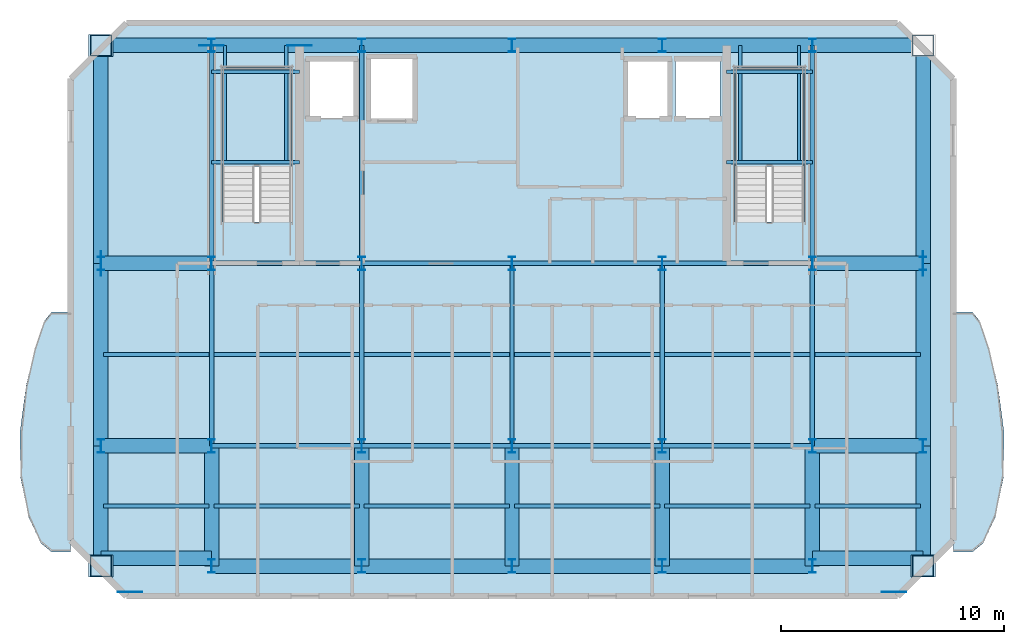
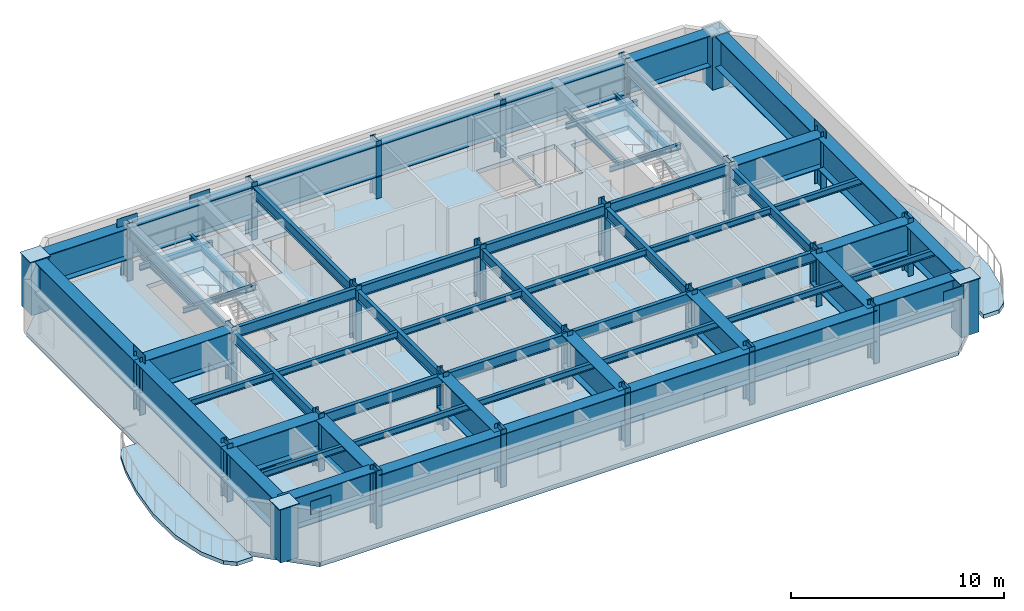
# One storey, part 1 of 6: 63 beams, 28 columns, 9 plates, 5 slabs, 2 elements without a shape of their own.
"""IFC4 building model written with IfcOpenShell, lengths in metres."""

from ifc_helpers import new_model, si_unit, direction, frame, origin, origin_2d, place, context, subcontext, project, spatial, polyline, rectangle, hollow_rectangle, i_section, outline, extrude, material, layer, layer_set, material_profile, profile_set, type_object, element, aggregate, save


model = new_model("IFC4")

# Units and contexts
model_context = context("Model", 3, precision=1e-05, world=origin(), true_north=direction((0.0, 1.0)))
body_context = subcontext(model_context, "Body", "Model", "MODEL_VIEW")
ifc_project = project(units=[si_unit("LENGTHUNIT", "METRE"), si_unit("AREAUNIT", "SQUARE_METRE"), si_unit("VOLUMEUNIT", "CUBIC_METRE"), si_unit("PLANEANGLEUNIT", "RADIAN"), si_unit("MASSUNIT", "GRAM", prefix="KILO")], contexts=[model_context])

# Site, building, storey
site_placement = place(None, origin())
site = spatial("IfcSite", under=ifc_project, at=site_placement, CompositionType="ELEMENT")
building_placement = place(site_placement, origin())
building = spatial("IfcBuilding", under=site, at=building_placement, Name="Haevon Station Towers", CompositionType="ELEMENT")
storey_placement = place(building_placement, frame((0.0, 0.0, 255.89990234375)))
storey = spatial("IfcBuildingStorey", under=building, at=storey_placement, Name="L71", CompositionType="ELEMENT", Elevation=255.89990234375)

# Columns
ifc_material_1 = material(Name="Steel S460", Category="steel")
ifc_material_profile_1 = material_profile(ifc_material_1, hollow_rectangle(XDim=0.949951171875, YDim=0.949951171875, WallThickness=0.028076171875, at=origin_2d()), Name="BOX-950x950x28")
ifc_profile_set_1 = profile_set([ifc_material_profile_1], Name="Steel S460")
column_type_1 = type_object("IfcColumnType", Name="COL-MC6", PredefinedType="COLUMN", material=ifc_profile_set_1)
for number, where, z_axis, x_axis, name in (
    (1, (19.02490234375, 24.60009765625, 0.0), (0.0, 0.0, 1.0), (1.0, 0.0, 0.0), "COL-T1-L71-01-01"),
    (2, (19.02490234375, 48.0, 0.0), (0.0, 0.0, 1.0), (1.0, 0.0, 0.0), "COL-T1-L71-01-04"),
    (3, (55.97509765625, 24.60009765625, 0.0), (0.0, 0.0, 1.0), (1.0, 0.0, 0.0), "COL-T1-L71-07-01"),
    (4, (55.97509765625, 48.0, 0.0), (0.0, 0.0, 1.0), (1.0, 0.0, 0.0), "COL-T1-L71-07-04"),
):
    element("IfcColumn", number, at=place(storey_placement, frame(where, z_axis=z_axis, x_axis=x_axis)), inside=storey, type_object=column_type_1, Name=name, PredefinedType="COLUMN", context=body_context, shape_type="SweptSolid", body=[
        extrude(hollow_rectangle(XDim=0.949951171875, YDim=0.949951171875, WallThickness=0.028076171875, at=origin_2d()), origin(), (0.0, 0.0, 1.0), 3.050048828125),
    ])
ifc_material_2 = material(Name="Steel S355", Category="steel")
ifc_material_profile_2 = material_profile(ifc_material_2, i_section(OverallWidth=0.300048828125, OverallDepth=0.60009765625, WebThickness=0.013916015625, FlangeThickness=0.02490234375, at=origin_2d()), Name="H-600x300x14x25")
ifc_profile_set_2 = profile_set([ifc_material_profile_2], Name="Steel S355")
column_type_2 = type_object("IfcColumnType", Name="COL-TW4", PredefinedType="COLUMN", material=ifc_profile_set_2)
for number, where, z_axis, x_axis, name in (
    (5, (19.02490234375, 30.0, 0.0), (0.0, 0.0, 1.0), (1.0, 0.0, 0.0), "COL-T1-L71-01-02"),
    (6, (19.02490234375, 38.199951171875, 0.0), (0.0, 0.0, 1.0), (1.0, 0.0, 0.0), "COL-T1-L71-01-03"),
    (7, (24.0, 24.60009765625, 0.0), (0.0, 0.0, 1.0), (1.0, 0.0, 0.0), "COL-T1-L71-02-01"),
    (8, (24.0, 30.0, 0.0), (0.0, 0.0, 1.0), (1.0, 0.0, 0.0), "COL-T1-L71-02-02"),
    (9, (24.0, 38.199951171875, 0.0), (0.0, 0.0, 1.0), (1.0, 0.0, 0.0), "COL-T1-L71-02-03"),
    (10, (24.0, 48.0, 0.0), (0.0, 0.0, 1.0), (1.0, 0.0, 0.0), "COL-T1-L71-02-04"),
    (11, (30.75, 24.60009765625, 0.0), (0.0, 0.0, 1.0), (1.0, 0.0, 0.0), "COL-T1-L71-03-01"),
    (12, (30.75, 30.0, 0.0), (0.0, 0.0, 1.0), (1.0, 0.0, 0.0), "COL-T1-L71-03-02"),
    (13, (30.75, 38.199951171875, 0.0), (0.0, 0.0, 1.0), (1.0, 0.0, 0.0), "COL-T1-L71-03-03"),
    (14, (30.75, 48.0, 0.0), (0.0, 0.0, 1.0), (1.0, 0.0, 0.0), "COL-T1-L71-03-04"),
    (15, (37.5, 24.60009765625, 0.0), (0.0, 0.0, 1.0), (1.0, 0.0, 0.0), "COL-T1-L71-04-01"),
    (16, (37.5, 30.0, 0.0), (0.0, 0.0, 1.0), (1.0, 0.0, 0.0), "COL-T1-L71-04-02"),
    (17, (37.5, 38.199951171875, 0.0), (0.0, 0.0, 1.0), (1.0, 0.0, 0.0), "COL-T1-L71-04-03"),
    (18, (37.5, 48.0, 0.0), (0.0, 0.0, 1.0), (1.0, 0.0, 0.0), "COL-T1-L71-04-04"),
    (19, (44.25, 24.60009765625, 0.0), (0.0, 0.0, 1.0), (1.0, 0.0, 0.0), "COL-T1-L71-05-01"),
    (20, (44.25, 30.0, 0.0), (0.0, 0.0, 1.0), (1.0, 0.0, 0.0), "COL-T1-L71-05-02"),
    (21, (44.25, 38.199951171875, 0.0), (0.0, 0.0, 1.0), (1.0, 0.0, 0.0), "COL-T1-L71-05-03"),
    (22, (44.25, 48.0, 0.0), (0.0, 0.0, 1.0), (1.0, 0.0, 0.0), "COL-T1-L71-05-04"),
    (23, (51.0, 24.60009765625, 0.0), (0.0, 0.0, 1.0), (1.0, 0.0, 0.0), "COL-T1-L71-06-01"),
    (24, (51.0, 30.0, 0.0), (0.0, 0.0, 1.0), (1.0, 0.0, 0.0), "COL-T1-L71-06-02"),
    (25, (51.0, 38.199951171875, 0.0), (0.0, 0.0, 1.0), (1.0, 0.0, 0.0), "COL-T1-L71-06-03"),
    (26, (51.0, 48.0, 0.0), (0.0, 0.0, 1.0), (1.0, 0.0, 0.0), "COL-T1-L71-06-04"),
    (27, (55.97509765625, 30.0, 0.0), (0.0, 0.0, 1.0), (1.0, 0.0, 0.0), "COL-T1-L71-07-02"),
    (28, (55.97509765625, 38.199951171875, 0.0), (0.0, 0.0, 1.0), (1.0, 0.0, 0.0), "COL-T1-L71-07-03"),
):
    element("IfcColumn", number, at=place(storey_placement, frame(where, z_axis=z_axis, x_axis=x_axis)), inside=storey, type_object=column_type_2, Name=name, PredefinedType="COLUMN", context=body_context, shape_type="SweptSolid", body=[
        extrude(i_section(OverallWidth=0.300048828125, OverallDepth=0.60009765625, WebThickness=0.013916015625, FlangeThickness=0.02490234375, at=origin_2d()), origin(), (0.0, 0.0, 1.0), 3.300048828125),
    ])

# Beams
ifc_material_profile_3 = material_profile(ifc_material_2, i_section(OverallWidth=0.199951171875, OverallDepth=0.60009765625, WebThickness=0.010986328125, FlangeThickness=0.01708984375, at=origin_2d()), Name="H-600x200x11x17")
ifc_profile_set_3 = profile_set([ifc_material_profile_3], Name="Steel S355")
beam_type_1 = type_object("IfcBeamType", Name="BM-G600", PredefinedType="BEAM", material=ifc_profile_set_3)
for number, where, z_axis, x_axis, name in (
    (29, (24.0, 30.0, 2.75), (1.0, 0.0, 0.0), (0.0, 1.0, 0.0), "BM-T1U-L71-02-02"),
    (30, (30.75, 30.0, 2.75), (1.0, 0.0, 0.0), (0.0, 1.0, 0.0), "BM-T1U-L71-02-03"),
    (31, (37.5, 30.0, 2.75), (1.0, 0.0, 0.0), (0.0, 1.0, 0.0), "BM-T1U-L71-02-04"),
    (32, (44.25, 30.0, 2.75), (1.0, 0.0, 0.0), (0.0, 1.0, 0.0), "BM-T1U-L71-02-05"),
    (33, (24.0, 38.199951171875, 2.75), (1.0, 0.0, 0.0), (0.0, 1.0, 0.0), "BM-T1U-L71-03-02"),
    (34, (30.75, 38.199951171875, 2.75), (1.0, 0.0, 0.0), (0.0, 1.0, 0.0), "BM-T1U-L71-03-03"),
    (35, (37.5, 38.199951171875, 2.75), (1.0, 0.0, 0.0), (0.0, 1.0, 0.0), "BM-T1U-L71-03-04"),
    (36, (44.25, 38.199951171875, 2.75), (1.0, 0.0, 0.0), (0.0, 1.0, 0.0), "BM-T1U-L71-03-05"),
):
    element("IfcBeam", number, at=place(storey_placement, frame(where, z_axis=z_axis, x_axis=x_axis)), inside=storey, type_object=beam_type_1, Name=name, PredefinedType="BEAM", context=body_context, shape_type="SweptSolid", body=[
        extrude(i_section(OverallWidth=0.199951171875, OverallDepth=0.60009765625, WebThickness=0.010986328125, FlangeThickness=0.01708984375, at=origin_2d()), origin(), (0.0, 0.0, 1.0), 6.75),
    ])
beam_1_placement = place(storey_placement, frame((24.0, 30.0, 2.75), z_axis=(0.0, 1.0, 0.0), x_axis=(-1.0, 0.0, 0.0)))
element("IfcBeam", 37, at=beam_1_placement, inside=storey, type_object=beam_type_1, Name="BM-T1V-L71-02-02", PredefinedType="BEAM", context=body_context, shape_type="SweptSolid", body=[
    extrude(i_section(OverallWidth=0.199951171875, OverallDepth=0.60009765625, WebThickness=0.010986328125, FlangeThickness=0.01708984375, at=origin_2d()), origin(), (0.0, 0.0, 1.0), 8.199951171875),
])
beam_2_placement = place(storey_placement, frame((24.0, 38.199951171875, 2.75), z_axis=(0.0, 1.0, 0.0), x_axis=(-1.0, 0.0, 0.0)))
element("IfcBeam", 38, at=beam_2_placement, inside=storey, type_object=beam_type_1, Name="BM-T1V-L71-02-03", PredefinedType="BEAM", context=body_context, shape_type="SweptSolid", body=[
    extrude(i_section(OverallWidth=0.199951171875, OverallDepth=0.60009765625, WebThickness=0.010986328125, FlangeThickness=0.01708984375, at=origin_2d()), origin(), (0.0, 0.0, 1.0), 9.800048828125),
])
beam_3_placement = place(storey_placement, frame((30.75, 30.0, 2.75), z_axis=(0.0, 1.0, 0.0), x_axis=(-1.0, 0.0, 0.0)))
element("IfcBeam", 39, at=beam_3_placement, inside=storey, type_object=beam_type_1, Name="BM-T1V-L71-03-02", PredefinedType="BEAM", context=body_context, shape_type="SweptSolid", body=[
    extrude(i_section(OverallWidth=0.199951171875, OverallDepth=0.60009765625, WebThickness=0.010986328125, FlangeThickness=0.01708984375, at=origin_2d()), origin(), (0.0, 0.0, 1.0), 8.199951171875),
])
beam_4_placement = place(storey_placement, frame((30.75, 38.199951171875, 2.75), z_axis=(0.0, 1.0, 0.0), x_axis=(-1.0, 0.0, 0.0)))
element("IfcBeam", 40, at=beam_4_placement, inside=storey, type_object=beam_type_1, Name="BM-T1V-L71-03-03", PredefinedType="BEAM", context=body_context, shape_type="SweptSolid", body=[
    extrude(i_section(OverallWidth=0.199951171875, OverallDepth=0.60009765625, WebThickness=0.010986328125, FlangeThickness=0.01708984375, at=origin_2d()), origin(), (0.0, 0.0, 1.0), 9.800048828125),
])
for number, where, z_axis, x_axis, name in (
    (41, (37.5, 30.0, 2.75), (0.0, 1.0, 0.0), (-1.0, 0.0, 0.0), "BM-T1V-L71-04-02"),
    (42, (44.25, 30.0, 2.75), (0.0, 1.0, 0.0), (-1.0, 0.0, 0.0), "BM-T1V-L71-05-02"),
    (43, (51.0, 30.0, 2.75), (0.0, 1.0, 0.0), (-1.0, 0.0, 0.0), "BM-T1V-L71-06-02"),
):
    element("IfcBeam", number, at=place(storey_placement, frame(where, z_axis=z_axis, x_axis=x_axis)), inside=storey, type_object=beam_type_1, Name=name, PredefinedType="BEAM", context=body_context, shape_type="SweptSolid", body=[
        extrude(i_section(OverallWidth=0.199951171875, OverallDepth=0.60009765625, WebThickness=0.010986328125, FlangeThickness=0.01708984375, at=origin_2d()), origin(), (0.0, 0.0, 1.0), 8.199951171875),
    ])
beam_5_placement = place(storey_placement, frame((51.0, 38.199951171875, 2.75), z_axis=(0.0, 1.0, 0.0), x_axis=(-1.0, 0.0, 0.0)))
element("IfcBeam", 44, at=beam_5_placement, inside=storey, type_object=beam_type_1, Name="BM-T1V-L71-06-03", PredefinedType="BEAM", context=body_context, shape_type="SweptSolid", body=[
    extrude(i_section(OverallWidth=0.199951171875, OverallDepth=0.60009765625, WebThickness=0.010986328125, FlangeThickness=0.01708984375, at=origin_2d()), origin(), (0.0, 0.0, 1.0), 9.800048828125),
])
ifc_material_profile_4 = material_profile(ifc_material_2, i_section(OverallWidth=0.175048828125, OverallDepth=0.35009765625, WebThickness=0.007080078125, FlangeThickness=0.010986328125, at=origin_2d()), Name="H-350x175x7x11")
ifc_profile_set_4 = profile_set([ifc_material_profile_4], Name="Steel S355")
beam_type_2 = type_object("IfcBeamType", Name="BM-J350", PredefinedType="JOIST", material=ifc_profile_set_4)
beam_6_placement = place(storey_placement, frame((19.135009765625, 27.300048828125, 2.875), z_axis=(1.0, 0.0, 0.0), x_axis=(0.0, 1.0, 0.0)))
element("IfcBeam", 45, at=beam_6_placement, inside=storey, type_object=beam_type_2, Name="BM-T1J-L71-01-01", PredefinedType="JOIST", context=body_context, shape_type="SweptSolid", body=[
    extrude(i_section(OverallWidth=0.175048828125, OverallDepth=0.35009765625, WebThickness=0.007080078125, FlangeThickness=0.010986328125, at=origin_2d()), origin(), (0.0, 0.0, 1.0), 4.7548828125),
])
for number, where, z_axis, x_axis, name in (
    (46, (24.110107421875, 27.300048828125, 2.875), (1.0, 0.0, 0.0), (0.0, 1.0, 0.0), "BM-T1J-L71-01-02"),
    (47, (30.860107421875, 27.300048828125, 2.875), (1.0, 0.0, 0.0), (0.0, 1.0, 0.0), "BM-T1J-L71-01-03"),
    (48, (37.610107421875, 27.300048828125, 2.875), (1.0, 0.0, 0.0), (0.0, 1.0, 0.0), "BM-T1J-L71-01-04"),
    (49, (44.360107421875, 27.300048828125, 2.875), (1.0, 0.0, 0.0), (0.0, 1.0, 0.0), "BM-T1J-L71-01-05"),
):
    element("IfcBeam", number, at=place(storey_placement, frame(where, z_axis=z_axis, x_axis=x_axis)), inside=storey, type_object=beam_type_2, Name=name, PredefinedType="JOIST", context=body_context, shape_type="SweptSolid", body=[
        extrude(i_section(OverallWidth=0.175048828125, OverallDepth=0.35009765625, WebThickness=0.007080078125, FlangeThickness=0.010986328125, at=origin_2d()), origin(), (0.0, 0.0, 1.0), 6.52978515625),
    ])
for number, where, z_axis, x_axis, name in (
    (50, (51.110107421875, 27.300048828125, 2.875), (1.0, 0.0, 0.0), (0.0, 1.0, 0.0), "BM-T1J-L71-01-06"),
    (51, (19.135009765625, 34.10009765625, 2.875), (1.0, 0.0, 0.0), (0.0, 1.0, 0.0), "BM-T1J-L71-02-01"),
):
    element("IfcBeam", number, at=place(storey_placement, frame(where, z_axis=z_axis, x_axis=x_axis)), inside=storey, type_object=beam_type_2, Name=name, PredefinedType="JOIST", context=body_context, shape_type="SweptSolid", body=[
        extrude(i_section(OverallWidth=0.175048828125, OverallDepth=0.35009765625, WebThickness=0.007080078125, FlangeThickness=0.010986328125, at=origin_2d()), origin(), (0.0, 0.0, 1.0), 4.7548828125),
    ])
for number, where, z_axis, x_axis, name in (
    (52, (24.110107421875, 34.10009765625, 2.875), (1.0, 0.0, 0.0), (0.0, 1.0, 0.0), "BM-T1J-L71-02-02"),
    (53, (30.860107421875, 34.10009765625, 2.875), (1.0, 0.0, 0.0), (0.0, 1.0, 0.0), "BM-T1J-L71-02-03"),
    (54, (37.610107421875, 34.10009765625, 2.875), (1.0, 0.0, 0.0), (0.0, 1.0, 0.0), "BM-T1J-L71-02-04"),
    (55, (44.360107421875, 34.10009765625, 2.875), (1.0, 0.0, 0.0), (0.0, 1.0, 0.0), "BM-T1J-L71-02-05"),
):
    element("IfcBeam", number, at=place(storey_placement, frame(where, z_axis=z_axis, x_axis=x_axis)), inside=storey, type_object=beam_type_2, Name=name, PredefinedType="JOIST", context=body_context, shape_type="SweptSolid", body=[
        extrude(i_section(OverallWidth=0.175048828125, OverallDepth=0.35009765625, WebThickness=0.007080078125, FlangeThickness=0.010986328125, at=origin_2d()), origin(), (0.0, 0.0, 1.0), 6.52978515625),
    ])
beam_7_placement = place(storey_placement, frame((51.110107421875, 34.10009765625, 2.875), z_axis=(1.0, 0.0, 0.0), x_axis=(0.0, 1.0, 0.0)))
element("IfcBeam", 56, at=beam_7_placement, inside=storey, type_object=beam_type_2, Name="BM-T1J-L71-02-06", PredefinedType="JOIST", context=body_context, shape_type="SweptSolid", body=[
    extrude(i_section(OverallWidth=0.175048828125, OverallDepth=0.35009765625, WebThickness=0.007080078125, FlangeThickness=0.010986328125, at=origin_2d()), origin(), (0.0, 0.0, 1.0), 4.7548828125),
])
ifc_material_profile_5 = material_profile(ifc_material_2, i_section(OverallWidth=0.14990234375, OverallDepth=0.300048828125, WebThickness=0.006591796875, FlangeThickness=0.009033203125, at=origin_2d()), Name="H-300x150x6.5x9")
ifc_profile_set_5 = profile_set([ifc_material_profile_5], Name="Steel S355")
beam_type_3 = type_object("IfcBeamType", Name="BM-LIN300", PredefinedType="LINTEL", material=ifc_profile_set_5)
for number, where, z_axis, x_axis, name in (
    (57, (24.0, 42.743896484375, 1.300048828125), (1.0, 0.0, 0.0), (0.0, 1.0, 0.0), "BM-ST1L-L71-1-S"),
    (58, (24.0, 46.820068359375, 1.300048828125), (1.0, 0.0, 0.0), (0.0, 1.0, 0.0), "BM-ST1L-L71-1-N"),
):
    element("IfcBeam", number, at=place(storey_placement, frame(where, z_axis=z_axis, x_axis=x_axis)), inside=storey, type_object=beam_type_3, Name=name, PredefinedType="LINTEL", context=body_context, shape_type="SweptSolid", body=[
        extrude(i_section(OverallWidth=0.14990234375, OverallDepth=0.300048828125, WebThickness=0.006591796875, FlangeThickness=0.009033203125, at=origin_2d()), origin(), (0.0, 0.0, 1.0), 3.949951171875),
    ])
for number, where, z_axis, x_axis, name in (
    (59, (24.60009765625, 42.743896484375, 1.300048828125), (0.0, 1.0, 0.0), (-1.0, 0.0, 0.0), "BM-ST1L-L71-1-W"),
    (60, (27.35009765625, 42.743896484375, 1.300048828125), (0.0, 1.0, 0.0), (-1.0, 0.0, 0.0), "BM-ST1L-L71-1-E"),
):
    element("IfcBeam", number, at=place(storey_placement, frame(where, z_axis=z_axis, x_axis=x_axis)), inside=storey, type_object=beam_type_3, Name=name, PredefinedType="LINTEL", context=body_context, shape_type="SweptSolid", body=[
        extrude(i_section(OverallWidth=0.14990234375, OverallDepth=0.300048828125, WebThickness=0.006591796875, FlangeThickness=0.009033203125, at=origin_2d()), origin(), (0.0, 0.0, 1.0), 5.256103515625),
    ])
for number, where, z_axis, x_axis, name in (
    (61, (47.14990234375, 42.743896484375, 1.300048828125), (1.0, 0.0, 0.0), (0.0, 1.0, 0.0), "BM-ST2L-L71-1-S"),
    (62, (47.14990234375, 46.820068359375, 1.300048828125), (1.0, 0.0, 0.0), (0.0, 1.0, 0.0), "BM-ST2L-L71-1-N"),
):
    element("IfcBeam", number, at=place(storey_placement, frame(where, z_axis=z_axis, x_axis=x_axis)), inside=storey, type_object=beam_type_3, Name=name, PredefinedType="LINTEL", context=body_context, shape_type="SweptSolid", body=[
        extrude(i_section(OverallWidth=0.14990234375, OverallDepth=0.300048828125, WebThickness=0.006591796875, FlangeThickness=0.009033203125, at=origin_2d()), origin(), (0.0, 0.0, 1.0), 3.85009765625),
    ])
for number, where, z_axis, x_axis, name in (
    (63, (47.75, 42.743896484375, 1.300048828125), (0.0, 1.0, 0.0), (-1.0, 0.0, 0.0), "BM-ST2L-L71-1-W"),
    (64, (50.39990234375, 42.743896484375, 1.300048828125), (0.0, 1.0, 0.0), (-1.0, 0.0, 0.0), "BM-ST2L-L71-1-E"),
):
    element("IfcBeam", number, at=place(storey_placement, frame(where, z_axis=z_axis, x_axis=x_axis)), inside=storey, type_object=beam_type_3, Name=name, PredefinedType="LINTEL", context=body_context, shape_type="SweptSolid", body=[
        extrude(i_section(OverallWidth=0.14990234375, OverallDepth=0.300048828125, WebThickness=0.006591796875, FlangeThickness=0.009033203125, at=origin_2d()), origin(), (0.0, 0.0, 1.0), 5.256103515625),
    ])
ifc_material_profile_6 = material_profile(ifc_material_1, i_section(OverallWidth=0.64990234375, OverallDepth=1.800048828125, WebThickness=0.02490234375, FlangeThickness=0.0400390625, at=origin_2d()), Name="H-1800x650x25x40")
ifc_profile_set_6 = profile_set([ifc_material_profile_6], Name="Steel S460")
beam_type_4 = type_object("IfcBeamType", Name="BM-TG1800", PredefinedType="BEAM", material=ifc_profile_set_6)
for number, where, z_axis, x_axis, name in (
    (65, (24.0, 24.60009765625, 2.150146484375), (1.0, 0.0, 0.0), (0.0, 1.0, 0.0), "BM-T1U-L71-01-02"),
    (66, (30.75, 24.60009765625, 2.150146484375), (1.0, 0.0, 0.0), (0.0, 1.0, 0.0), "BM-T1U-L71-01-03"),
    (67, (37.5, 24.60009765625, 2.150146484375), (1.0, 0.0, 0.0), (0.0, 1.0, 0.0), "BM-T1U-L71-01-04"),
    (68, (44.25, 24.60009765625, 2.150146484375), (1.0, 0.0, 0.0), (0.0, 1.0, 0.0), "BM-T1U-L71-01-05"),
):
    element("IfcBeam", number, at=place(storey_placement, frame(where, z_axis=z_axis, x_axis=x_axis)), inside=storey, type_object=beam_type_4, Name=name, PredefinedType="BEAM", context=body_context, shape_type="SweptSolid", body=[
        extrude(i_section(OverallWidth=0.64990234375, OverallDepth=1.800048828125, WebThickness=0.02490234375, FlangeThickness=0.0400390625, at=origin_2d()), origin(), (0.0, 0.0, 1.0), 6.75),
    ])
for number, where, z_axis, x_axis, name in (
    (69, (19.02490234375, 30.0, 2.150146484375), (1.0, 0.0, 0.0), (0.0, 1.0, 0.0), "BM-T1U-L71-02-01"),
    (70, (51.0, 30.0, 2.150146484375), (1.0, 0.0, 0.0), (0.0, 1.0, 0.0), "BM-T1U-L71-02-06"),
    (71, (19.02490234375, 38.199951171875, 2.150146484375), (1.0, 0.0, 0.0), (0.0, 1.0, 0.0), "BM-T1U-L71-03-01"),
    (72, (51.0, 38.199951171875, 2.150146484375), (1.0, 0.0, 0.0), (0.0, 1.0, 0.0), "BM-T1U-L71-03-06"),
    (73, (19.02490234375, 48.0, 2.150146484375), (1.0, 0.0, 0.0), (0.0, 1.0, 0.0), "BM-T1U-L71-04-01"),
):
    element("IfcBeam", number, at=place(storey_placement, frame(where, z_axis=z_axis, x_axis=x_axis)), inside=storey, type_object=beam_type_4, Name=name, PredefinedType="BEAM", context=body_context, shape_type="SweptSolid", body=[
        extrude(i_section(OverallWidth=0.64990234375, OverallDepth=1.800048828125, WebThickness=0.02490234375, FlangeThickness=0.0400390625, at=origin_2d()), origin(), (0.0, 0.0, 1.0), 4.97509765625),
    ])
for number, where, z_axis, x_axis, name in (
    (74, (24.0, 48.0, 2.150146484375), (1.0, 0.0, 0.0), (0.0, 1.0, 0.0), "BM-T1U-L71-04-02"),
    (75, (30.75, 48.0, 2.150146484375), (1.0, 0.0, 0.0), (0.0, 1.0, 0.0), "BM-T1U-L71-04-03"),
    (76, (37.5, 48.0, 2.150146484375), (1.0, 0.0, 0.0), (0.0, 1.0, 0.0), "BM-T1U-L71-04-04"),
    (77, (44.25, 48.0, 2.150146484375), (1.0, 0.0, 0.0), (0.0, 1.0, 0.0), "BM-T1U-L71-04-05"),
):
    element("IfcBeam", number, at=place(storey_placement, frame(where, z_axis=z_axis, x_axis=x_axis)), inside=storey, type_object=beam_type_4, Name=name, PredefinedType="BEAM", context=body_context, shape_type="SweptSolid", body=[
        extrude(i_section(OverallWidth=0.64990234375, OverallDepth=1.800048828125, WebThickness=0.02490234375, FlangeThickness=0.0400390625, at=origin_2d()), origin(), (0.0, 0.0, 1.0), 6.75),
    ])
beam_8_placement = place(storey_placement, frame((51.0, 48.0, 2.150146484375), z_axis=(1.0, 0.0, 0.0), x_axis=(0.0, 1.0, 0.0)))
element("IfcBeam", 78, at=beam_8_placement, inside=storey, type_object=beam_type_4, Name="BM-T1U-L71-04-06", PredefinedType="BEAM", context=body_context, shape_type="SweptSolid", body=[
    extrude(i_section(OverallWidth=0.64990234375, OverallDepth=1.800048828125, WebThickness=0.02490234375, FlangeThickness=0.0400390625, at=origin_2d()), origin(), (0.0, 0.0, 1.0), 4.97509765625),
])
beam_9_placement = place(storey_placement, frame((19.02490234375, 24.60009765625, 2.150146484375), z_axis=(0.0, 1.0, 0.0), x_axis=(-1.0, 0.0, 0.0)))
element("IfcBeam", 79, at=beam_9_placement, inside=storey, type_object=beam_type_4, Name="BM-T1V-L71-01-01", PredefinedType="BEAM", context=body_context, shape_type="SweptSolid", body=[
    extrude(i_section(OverallWidth=0.64990234375, OverallDepth=1.800048828125, WebThickness=0.02490234375, FlangeThickness=0.0400390625, at=origin_2d()), origin(), (0.0, 0.0, 1.0), 5.39990234375),
])
beam_10_placement = place(storey_placement, frame((19.02490234375, 30.0, 2.150146484375), z_axis=(0.0, 1.0, 0.0), x_axis=(-1.0, 0.0, 0.0)))
element("IfcBeam", 80, at=beam_10_placement, inside=storey, type_object=beam_type_4, Name="BM-T1V-L71-01-02", PredefinedType="BEAM", context=body_context, shape_type="SweptSolid", body=[
    extrude(i_section(OverallWidth=0.64990234375, OverallDepth=1.800048828125, WebThickness=0.02490234375, FlangeThickness=0.0400390625, at=origin_2d()), origin(), (0.0, 0.0, 1.0), 8.199951171875),
])
beam_11_placement = place(storey_placement, frame((19.02490234375, 38.199951171875, 2.150146484375), z_axis=(0.0, 1.0, 0.0), x_axis=(-1.0, 0.0, 0.0)))
element("IfcBeam", 81, at=beam_11_placement, inside=storey, type_object=beam_type_4, Name="BM-T1V-L71-01-03", PredefinedType="BEAM", context=body_context, shape_type="SweptSolid", body=[
    extrude(i_section(OverallWidth=0.64990234375, OverallDepth=1.800048828125, WebThickness=0.02490234375, FlangeThickness=0.0400390625, at=origin_2d()), origin(), (0.0, 0.0, 1.0), 9.800048828125),
])
for number, where, z_axis, x_axis, name in (
    (82, (24.0, 24.60009765625, 2.150146484375), (0.0, 1.0, 0.0), (-1.0, 0.0, 0.0), "BM-T1V-L71-02-01"),
    (83, (30.75, 24.60009765625, 2.150146484375), (0.0, 1.0, 0.0), (-1.0, 0.0, 0.0), "BM-T1V-L71-03-01"),
    (84, (37.5, 24.60009765625, 2.150146484375), (0.0, 1.0, 0.0), (-1.0, 0.0, 0.0), "BM-T1V-L71-04-01"),
    (85, (44.25, 24.60009765625, 2.150146484375), (0.0, 1.0, 0.0), (-1.0, 0.0, 0.0), "BM-T1V-L71-05-01"),
    (86, (51.0, 24.60009765625, 2.150146484375), (0.0, 1.0, 0.0), (-1.0, 0.0, 0.0), "BM-T1V-L71-06-01"),
    (87, (55.97509765625, 24.60009765625, 2.150146484375), (0.0, 1.0, 0.0), (-1.0, 0.0, 0.0), "BM-T1V-L71-07-01"),
):
    element("IfcBeam", number, at=place(storey_placement, frame(where, z_axis=z_axis, x_axis=x_axis)), inside=storey, type_object=beam_type_4, Name=name, PredefinedType="BEAM", context=body_context, shape_type="SweptSolid", body=[
        extrude(i_section(OverallWidth=0.64990234375, OverallDepth=1.800048828125, WebThickness=0.02490234375, FlangeThickness=0.0400390625, at=origin_2d()), origin(), (0.0, 0.0, 1.0), 5.39990234375),
    ])
beam_12_placement = place(storey_placement, frame((55.97509765625, 30.0, 2.150146484375), z_axis=(0.0, 1.0, 0.0), x_axis=(-1.0, 0.0, 0.0)))
element("IfcBeam", 88, at=beam_12_placement, inside=storey, type_object=beam_type_4, Name="BM-T1V-L71-07-02", PredefinedType="BEAM", context=body_context, shape_type="SweptSolid", body=[
    extrude(i_section(OverallWidth=0.64990234375, OverallDepth=1.800048828125, WebThickness=0.02490234375, FlangeThickness=0.0400390625, at=origin_2d()), origin(), (0.0, 0.0, 1.0), 8.199951171875),
])
beam_13_placement = place(storey_placement, frame((55.97509765625, 38.199951171875, 2.150146484375), z_axis=(0.0, 1.0, 0.0), x_axis=(-1.0, 0.0, 0.0)))
element("IfcBeam", 89, at=beam_13_placement, inside=storey, type_object=beam_type_4, Name="BM-T1V-L71-07-03", PredefinedType="BEAM", context=body_context, shape_type="SweptSolid", body=[
    extrude(i_section(OverallWidth=0.64990234375, OverallDepth=1.800048828125, WebThickness=0.02490234375, FlangeThickness=0.0400390625, at=origin_2d()), origin(), (0.0, 0.0, 1.0), 9.800048828125),
])
for number, where, z_axis, x_axis, name in (
    (90, (19.02490234375, 24.949951171875, 2.150146484375), (1.0, 0.0, 0.0), (0.0, 1.0, 0.0), "BM-T1CTRN-L71-1"),
    (91, (51.0, 24.949951171875, 2.150146484375), (1.0, 0.0, 0.0), (0.0, 1.0, 0.0), "BM-T1CTRN-L71-2"),
):
    element("IfcBeam", number, at=place(storey_placement, frame(where, z_axis=z_axis, x_axis=x_axis)), inside=storey, type_object=beam_type_4, Name=name, PredefinedType="BEAM", context=body_context, shape_type="SweptSolid", body=[
        extrude(i_section(OverallWidth=0.64990234375, OverallDepth=1.800048828125, WebThickness=0.02490234375, FlangeThickness=0.0400390625, at=origin_2d()), origin(), (0.0, 0.0, 1.0), 4.97509765625),
    ])

# Plates
ifc_material_3 = material(Name="PL-FLG1", Category="steel")
ifc_layer_1 = layer(ifc_material_3, 0.044921875)
ifc_layer_set_1 = layer_set([ifc_layer_1], Name="PL-FLG1")
plate_type_1 = type_object("IfcPlateType", Name="PL-FLG1", PredefinedType="USERDEFINED", material=ifc_layer_set_1)
for number, where, z_axis, x_axis, name in (
    (92, (19.02490234375, 24.60009765625, 3.050048828125), (0.0, 0.0, 1.0), (1.0, 0.0, 0.0), "PL-CAP-T1-L71-01-01"),
    (93, (19.02490234375, 48.0, 3.050048828125), (0.0, 0.0, 1.0), (1.0, 0.0, 0.0), "PL-CAP-T1-L71-01-04"),
    (94, (55.97509765625, 24.60009765625, 3.050048828125), (0.0, 0.0, 1.0), (1.0, 0.0, 0.0), "PL-CAP-T1-L71-07-01"),
):
    element("IfcPlate", number, at=place(storey_placement, frame(where, z_axis=z_axis, x_axis=x_axis)), inside=storey, type_object=plate_type_1, Name=name, ObjectType="FLANGE_PLATE", PredefinedType="USERDEFINED", context=body_context, shape_type="SweptSolid", body=[
        extrude(rectangle(XDim=1.090087890625, YDim=0.989990234375, at=origin_2d()), origin(), (0.0, 0.0, 1.0), 0.0400390625),
    ])
ifc_material_4 = material(Name="PL-SPL1", Category="steel")
ifc_layer_2 = layer(ifc_material_4, 0.031982421875)
ifc_layer_set_2 = layer_set([ifc_layer_2], Name="PL-SPL1")
plate_type_2 = type_object("IfcPlateType", Name="PL-SPL1", PredefinedType="USERDEFINED", material=ifc_layer_set_2)
for number, where, z_axis, x_axis, name in (
    (95, (20.324951171875, 23.429931640625, 2.775146484375), (0.0, 0.0, 1.0), (1.0, 0.0, 0.0), "PL-T1SPL-T10-S-3"),
    (96, (54.675048828125, 23.429931640625, 2.775146484375), (0.0, 0.0, 1.0), (1.0, 0.0, 0.0), "PL-T1SPL-T10-S-4"),
    (97, (24.0, 48.0, 2.775146484375), (0.0, 0.0, 1.0), (1.0, 0.0, 0.0), "PL-T1SPL-T10-N-3"),
    (98, (27.949951171875, 48.0, 2.775146484375), (0.0, 0.0, 1.0), (1.0, 0.0, 0.0), "PL-T1SPL-T10-N-4"),
    (99, (19.02490234375, 38.199951171875, 2.775146484375), (0.0, 0.0, 1.0), (0.0, 1.0, 0.0), "PL-T1SPL-T10-W-4"),
    (100, (55.97509765625, 38.199951171875, 2.775146484375), (0.0, 0.0, 1.0), (0.0, 1.0, 0.0), "PL-T1SPL-T10-E-4"),
):
    element("IfcPlate", number, at=place(storey_placement, frame(where, z_axis=z_axis, x_axis=x_axis)), inside=storey, type_object=plate_type_2, Name=name, ObjectType="SPLICE_PLATE", PredefinedType="USERDEFINED", context=body_context, shape_type="SweptSolid", body=[
        extrude(rectangle(XDim=1.10009765625, YDim=0.031982421875, at=origin_2d()), origin(), (0.0, 0.0, 1.0), 0.75),
    ])

# Slabs
ifc_material_5 = material(Name="Concrete C40/50", Category="concrete")
ifc_layer_3 = layer(ifc_material_5, 0.219970703125)
ifc_layer_set_3 = layer_set([ifc_layer_3], Name="Concrete C40/50")
slab_type_1 = type_object("IfcSlabType", Name="SL-BALC220", PredefinedType="FLOOR", material=ifc_layer_set_3)
slab_1_placement = place(storey_placement, frame((0.0, 0.0, -0.219970703125)))
element("IfcSlab", 101, at=slab_1_placement, inside=storey, type_object=slab_type_1, Name="Tower 1 L71 West SCALLOPED BALCONY", PredefinedType="FLOOR", context=body_context, shape_type="SweptSolid", body=[
    extrude(outline(polyline([(17.669921875, 36.02490234375), (16.820068359375, 36.02490234375), (16.48486328125, 35.614013671875), (16.07568359375, 34.443359375), (15.66259765625, 32.69140625), (15.390625, 30.625), (15.420166015625, 28.55859375), (15.77783203125, 26.806640625), (16.32177734375, 25.635986328125), (16.820068359375, 25.22509765625), (17.669921875, 25.22509765625), (17.669921875, 36.02490234375)])), origin(), (0.0, 0.0, 1.0), 0.219970703125),
])
slab_2_placement = place(storey_placement, frame((0.0, 0.0, -0.219970703125)))
element("IfcSlab", 102, at=slab_2_placement, inside=storey, type_object=slab_type_1, Name="Tower 1 L71 East SCALLOPED BALCONY", PredefinedType="FLOOR", context=body_context, shape_type="SweptSolid", body=[
    extrude(outline(polyline([(57.330078125, 25.22509765625), (58.179931640625, 25.22509765625), (58.67822265625, 25.635986328125), (59.22216796875, 26.806640625), (59.579833984375, 28.55859375), (59.609375, 30.625), (59.33740234375, 32.69140625), (58.92431640625, 34.443359375), (58.51513671875, 35.614013671875), (58.179931640625, 36.02490234375), (57.330078125, 36.02490234375), (57.330078125, 25.22509765625)])), origin(), (0.0, 0.0, 1.0), 0.219970703125),
])

# Stair, slab
stair_type = type_object("IfcStairType", Name="STR-DL1450", PredefinedType="USERDEFINED", material=ifc_material_5)
stair_1_placement = place(storey_placement, origin())
stair_1 = element("IfcStair", 103, at=stair_1_placement, inside=storey, type_object=stair_type, Name="L71 Escape Stair ST1", ObjectType="TWO_RETURN_STAIR", PredefinedType="USERDEFINED")
ifc_layer_4 = layer(ifc_material_5, 0.199951171875)
ifc_layer_set_4 = layer_set([ifc_layer_4], Name="Concrete C40/50")
slab_type_2 = type_object("IfcSlabType", Name="SL-LND200", PredefinedType="LANDING", material=ifc_layer_set_4)
slab_3_placement = place(storey_placement, frame((0.0, 0.0, 1.4501953125)))
slab_3 = element("IfcSlab", 104, at=slab_3_placement, type_object=slab_type_2, Name="L71 ST1 Half Landing 1", PredefinedType="LANDING", context=body_context, shape_type="SweptSolid", body=[
    extrude(outline(polyline([(27.580078125, 42.56396484375), (27.580078125, 47.0), (24.47998046875, 47.0), (24.47998046875, 42.56396484375), (27.580078125, 42.56396484375)])), origin(), (0.0, 0.0, 1.0), 0.199951171875),
])
aggregate(stair_1, [slab_3])

stair_2_placement = place(storey_placement, origin())
stair_2 = element("IfcStair", 105, at=stair_2_placement, inside=storey, type_object=stair_type, Name="L71 Escape Stair ST2", ObjectType="TWO_RETURN_STAIR", PredefinedType="USERDEFINED")
slab_4_placement = place(storey_placement, frame((0.0, 0.0, 1.4501953125)))
slab_4 = element("IfcSlab", 106, at=slab_4_placement, type_object=slab_type_2, Name="L71 ST2 Half Landing 1", PredefinedType="LANDING", context=body_context, shape_type="SweptSolid", body=[
    extrude(outline(polyline([(50.6201171875, 42.56396484375), (50.6201171875, 47.0), (47.52001953125, 47.0), (47.52001953125, 42.56396484375), (50.6201171875, 42.56396484375)])), origin(), (0.0, 0.0, 1.0), 0.199951171875),
])
aggregate(stair_2, [slab_4])

# Slab
ifc_layer_5 = layer(ifc_material_5, 0.25)
ifc_layer_set_5 = layer_set([ifc_layer_5], Name="Concrete C40/50")
slab_type_3 = type_object("IfcSlabType", Name="SL-TW250", PredefinedType="FLOOR", material=ifc_layer_set_5)
slab_5_placement = place(storey_placement, frame((0.0, 0.0, -0.25)))
element("IfcSlab", 107, at=slab_5_placement, inside=storey, type_object=slab_type_3, Name="SL-T1-L71", PredefinedType="FLOOR", context=body_context, shape_type="SweptSolid", body=[
    extrude(outline(polyline([(20.175048828125, 23.25), (54.824951171875, 23.25), (57.324951171875, 25.75), (57.324951171875, 46.5), (54.824951171875, 49.0), (20.175048828125, 49.0), (17.675048828125, 46.5), (17.675048828125, 25.75), (20.175048828125, 23.25)]), holes=[polyline([(27.580078125, 40.055908203125), (27.580078125, 47.0), (24.47998046875, 47.0), (24.47998046875, 40.055908203125), (27.580078125, 40.055908203125)]), polyline([(50.6201171875, 40.055908203125), (50.6201171875, 47.0), (47.52001953125, 47.0), (47.52001953125, 40.055908203125), (50.6201171875, 40.055908203125)]), polyline([(28.300048828125, 44.699951171875), (30.5, 44.699951171875), (30.5, 47.39990234375), (28.300048828125, 47.39990234375), (28.300048828125, 44.699951171875)]), polyline([(31.050048828125, 44.60009765625), (33.14990234375, 44.60009765625), (33.14990234375, 47.5), (31.050048828125, 47.5), (31.050048828125, 44.60009765625)]), polyline([(42.60009765625, 44.699951171875), (44.60009765625, 44.699951171875), (44.60009765625, 47.39990234375), (42.60009765625, 47.39990234375), (42.60009765625, 44.699951171875)]), polyline([(44.85009765625, 44.699951171875), (46.85009765625, 44.699951171875), (46.85009765625, 47.39990234375), (44.85009765625, 47.39990234375), (44.85009765625, 44.699951171875)])]), origin(), (0.0, 0.0, 1.0), 0.25),
])

save(model, "model.ifc")
